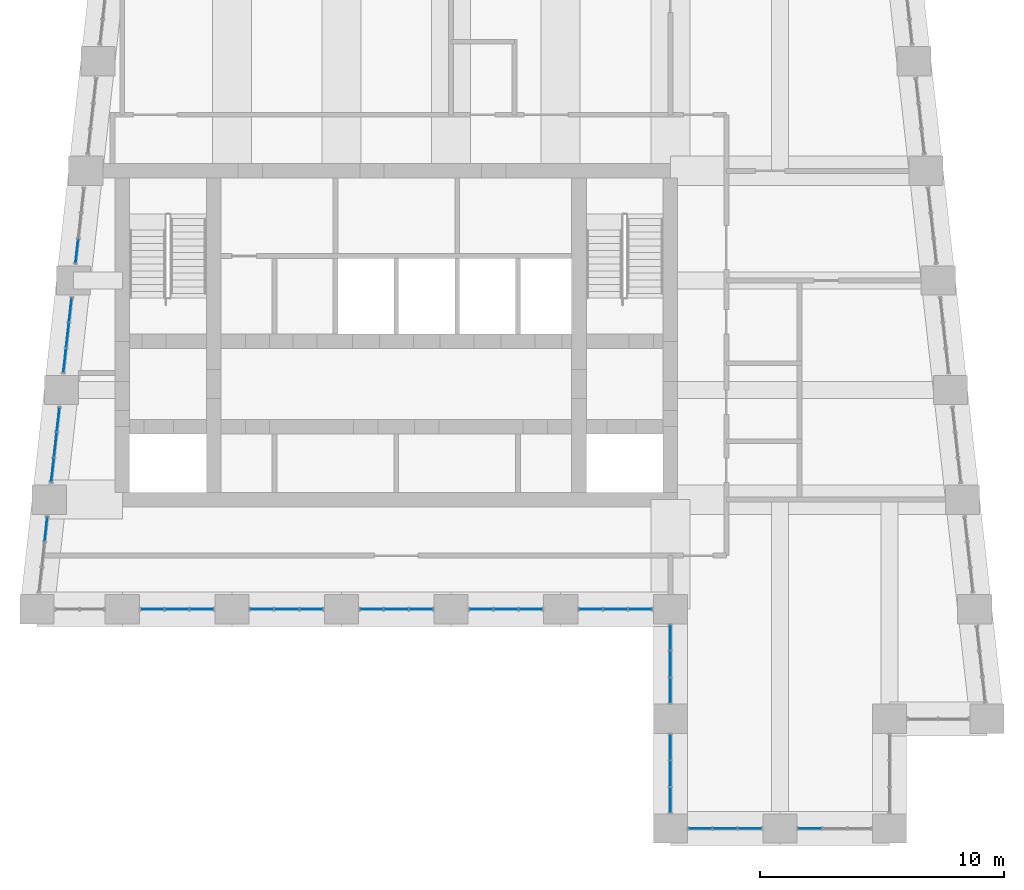
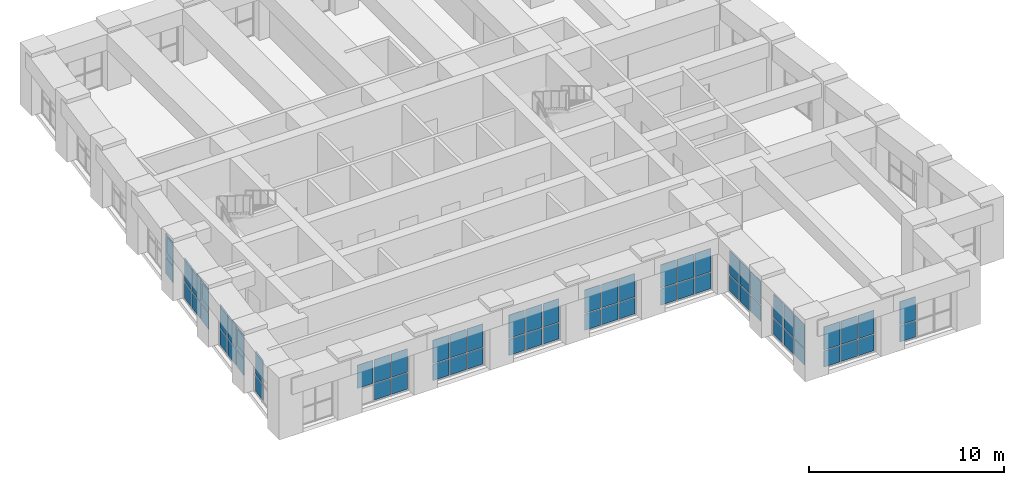
# One storey, part 12 of 18: 65 plates, 13 elements without a shape of their own.
"""IFC4 building model written with IfcOpenShell, lengths in metres."""

import ifcopenshell
import ifcopenshell.guid

model = None  # the IFC model being written
_history = None  # IfcOwnerHistory: only IFC2X3 demands one
_inside = {}  # id of a spatial element -> (the spatial element, [elements in it])
_under = {}  # id of a project, library or spatial element -> (it, [spatial elements below it])
_declared = {}  # id of a project -> (the project, [libraries it declares])
_typed = {}  # id of a type object -> (the type object, [elements of that type])
_made_of = {}  # id of a material, layer set ... -> (it, [elements and type objects made of it])


def new_model(schema):
    """Start an empty IFC model of exactly this schema.

    Asked for "IFC4X3", IfcOpenShell would pick the latest addendum, in which some entities
    have other attributes; the version numbers below select the first issue.
    IFC2X3 requires an IfcOwnerHistory on every rooted entity: one is made here for all.
    """
    global model, _history
    if schema == "IFC4X3":
        model = ifcopenshell.file(schema_version=(4, 3, 0, 0))
    else:
        model = ifcopenshell.file(schema=schema)
    _inside.clear()
    _under.clear()
    _declared.clear()
    _typed.clear()
    _made_of.clear()
    _history = None
    if model.schema == "IFC2X3":
        org = make("IfcOrganization", Name="unknown")
        user = make(
            "IfcPersonAndOrganization",
            ThePerson=make("IfcPerson", FamilyName="unknown"),
            TheOrganization=org,
        )
        app = make(
            "IfcApplication",
            ApplicationDeveloper=org,
            Version="unknown",
            ApplicationFullName="unknown",
            ApplicationIdentifier="unknown",
        )
        _history = make(
            "IfcOwnerHistory",
            OwningUser=user,
            OwningApplication=app,
            ChangeAction="ADDED",
            CreationDate=0,
        )
    return model


def make(cls, **values):
    """One entity of the class cls with the attributes given. An attribute that is None is left unset."""
    return model.create_entity(
        cls, **{name: value for name, value in values.items() if value is not None}
    )


def rooted(cls, **values):
    """An entity with a GlobalId (a new one), such as an element, a storey or a relation."""
    return make(cls, GlobalId=ifcopenshell.guid.new(), OwnerHistory=_history, **values)


def si_unit(unit_type, name, prefix=None):
    """IfcSIUnit, for example si_unit("LENGTHUNIT", "METRE", prefix="MILLI")."""
    return make("IfcSIUnit", UnitType=unit_type, Prefix=prefix, Name=name)


def assignment(units):
    """IfcUnitAssignment: the units of a project."""
    return None if units is None else make("IfcUnitAssignment", Units=units)


def point(xyz):
    """IfcCartesianPoint."""
    return None if xyz is None else make("IfcCartesianPoint", Coordinates=xyz)


def direction(xyz):
    """IfcDirection."""
    return None if xyz is None else make("IfcDirection", DirectionRatios=xyz)


def frame(location, z_axis=None, x_axis=None):
    """IfcAxis2Placement3D, a coordinate frame: its origin and axes. An axis left out is left unset."""
    return make(
        "IfcAxis2Placement3D",
        Location=point(location),
        Axis=direction(z_axis),
        RefDirection=direction(x_axis),
    )


def frame_2d(location, x_axis=None):
    """IfcAxis2Placement2D, a coordinate frame in the plane: its origin and x axis."""
    return make(
        "IfcAxis2Placement2D", Location=point(location), RefDirection=direction(x_axis)
    )


def origin():
    """The frame at (0, 0, 0) with its axes left unset."""
    return frame((0.0, 0.0, 0.0))


def origin_2d():
    """The frame at (0, 0) in the plane with its x axis left unset."""
    return frame_2d((0.0, 0.0))


def place(relative_to, where):
    """IfcLocalPlacement: puts the frame where relative to a parent placement (None: the world)."""
    return make(
        "IfcLocalPlacement", PlacementRelTo=relative_to, RelativePlacement=where
    )


def context(
    kind, dimensions, precision=None, world=None, true_north=None, identifier=None
):
    """IfcGeometricRepresentationContext, for example the 3D "Model" context."""
    return make(
        "IfcGeometricRepresentationContext",
        ContextIdentifier=identifier,
        ContextType=kind,
        CoordinateSpaceDimension=dimensions,
        Precision=precision,
        WorldCoordinateSystem=world,
        TrueNorth=true_north,
    )


def subcontext(parent, identifier, kind, view, scale=None):
    """IfcGeometricRepresentationSubContext, for example "Body" below "Model"."""
    return make(
        "IfcGeometricRepresentationSubContext",
        ContextIdentifier=identifier,
        ContextType=kind,
        ParentContext=parent,
        TargetScale=scale,
        TargetView=view,
    )


def project(units=None, contexts=None):
    """IfcProject with its units and contexts."""
    return rooted(
        "IfcProject",
        Name="project",
        RepresentationContexts=contexts,
        UnitsInContext=assignment(units),
    )


def spatial(cls, under=None, at=None, **own):
    """A site, building, storey or space (cls), placed at a placement, below another one or the project."""
    s = rooted(cls, ObjectPlacement=at, **own)
    if under is not None:
        _under.setdefault(under.id(), (under, []))[1].append(s)
    return s


def profile(cls, at=None, kind="AREA", **sizes):
    """A parametric profile (cls). Its sizes go by their IFC names, for example OverallWidth=200.0."""
    return make(cls, ProfileType=kind, Position=at, **sizes)


def rectangle(**sizes):
    """IfcRectangleProfileDef."""
    return profile("IfcRectangleProfileDef", **sizes)


def extrude(swept, where, along, depth):
    """IfcExtrudedAreaSolid: the profile swept, set in the frame where, extruded along a direction by depth."""
    return make(
        "IfcExtrudedAreaSolid",
        SweptArea=swept,
        Position=where,
        ExtrudedDirection=direction(along),
        Depth=depth,
    )


def shape(context_of_items, identifier, shape_type, items):
    """IfcShapeRepresentation: the items that make up one representation, for example the "Body"."""
    return make(
        "IfcShapeRepresentation",
        ContextOfItems=context_of_items,
        RepresentationIdentifier=identifier,
        RepresentationType=shape_type,
        Items=items,
    )


def material(Name=None, Category=None):
    """IfcMaterial."""
    return make("IfcMaterial", Name=Name, Category=Category)


def layer(
    of_material, thickness, ventilated=None, Name=None, Category=None, Priority=None
):
    """IfcMaterialLayer: one layer of a wall or slab, of a material (None: an air gap)."""
    return make(
        "IfcMaterialLayer",
        Material=of_material,
        LayerThickness=thickness,
        IsVentilated=ventilated,
        Name=Name,
        Category=Category,
        Priority=Priority,
    )


def layer_set(layers, Name=None):
    """IfcMaterialLayerSet."""
    return make("IfcMaterialLayerSet", MaterialLayers=layers, LayerSetName=Name)


def made_of(thing, what):
    """Note that an element or type object is made of a material, layer set ...; save() writes the relation."""
    if what is not None:
        _made_of.setdefault(what.id(), (what, []))[1].append(thing)
    return thing


def type_object(cls, material=None, **own):
    """A type object (cls), such as IfcWallType, which elements share."""
    return made_of(rooted(cls, **own), material)


def element(
    cls,
    number,
    at=None,
    inside=None,
    cuts=None,
    type_object=None,
    material=None,
    context=None,
    identifier="Body",
    shape_type=None,
    held_by="IfcProductDefinitionShape",
    body=None,
    shapes=None,
    **own,
):
    """One element of the class cls, such as IfcWall. Its Tag is "e" and its number.

    at: its placement. inside: the storey or other place that contains it. cuts: it is an
    opening in that element (IfcRelVoidsElement). A single representation is given by context,
    identifier, shape_type and body (its items); several are given by shapes. held_by: the class
    of the entity that holds the representations. save() writes the other relations.
    """
    e = rooted(cls, Tag="e%d" % number, ObjectPlacement=at, **own)
    if body is not None:
        shapes = [shape(context, identifier, shape_type, body)]
    if shapes is not None:
        e.Representation = make(held_by, Representations=shapes)
    if inside is not None:
        _inside.setdefault(inside.id(), (inside, []))[1].append(e)
    if cuts is not None:
        rooted(
            "IfcRelVoidsElement", RelatingBuildingElement=cuts, RelatedOpeningElement=e
        )
    if type_object is not None:
        _typed.setdefault(type_object.id(), (type_object, []))[1].append(e)
    return made_of(e, material)


def aggregate(whole, parts):
    """IfcRelAggregates: a whole, such as a stair, and the parts it consists of."""
    return rooted("IfcRelAggregates", RelatingObject=whole, RelatedObjects=parts)


def save(model, path):
    """Write the relations noted so far, then the file.

    IfcRelAggregates (storeys below a building ...), IfcRelContainedInSpatialStructure (elements
    in a storey), IfcRelDefinesByType, IfcRelAssociatesMaterial and IfcRelDeclares: one each for
    every whole, place, type object, material and project.
    """
    for whole, parts in _under.values():
        aggregate(whole, parts)
    for where, things in _inside.values():
        rooted(
            "IfcRelContainedInSpatialStructure",
            RelatedElements=things,
            RelatingStructure=where,
        )
    for kind, things in _typed.values():
        rooted("IfcRelDefinesByType", RelatedObjects=things, RelatingType=kind)
    for what, things in _made_of.values():
        rooted("IfcRelAssociatesMaterial", RelatedObjects=things, RelatingMaterial=what)
    for by, libraries in _declared.values():
        rooted("IfcRelDeclares", RelatingContext=by, RelatedDefinitions=libraries)
    model.write(path)


model = new_model("IFC4")

# Units and contexts
model_context = context("Model", 3, precision=1e-05, world=origin(), true_north=direction((0.0, 1.0)))
body_context = subcontext(model_context, "Body", "Model", "MODEL_VIEW")
ifc_project = project(units=[si_unit("LENGTHUNIT", "METRE"), si_unit("AREAUNIT", "SQUARE_METRE"), si_unit("VOLUMEUNIT", "CUBIC_METRE"), si_unit("PLANEANGLEUNIT", "RADIAN"), si_unit("MASSUNIT", "GRAM", prefix="KILO")], contexts=[model_context])

# Site, building, storey
site_placement = place(None, origin())
site = spatial("IfcSite", under=ifc_project, at=site_placement, CompositionType="ELEMENT")
building_placement = place(site_placement, origin())
building = spatial("IfcBuilding", under=site, at=building_placement, Name="Kilele Tower Hotel", CompositionType="ELEMENT")
storey_placement = place(building_placement, frame((0.0, 0.0, 281.89990234375)))
storey = spatial("IfcBuildingStorey", under=building, at=storey_placement, Name="L72", CompositionType="ELEMENT", Elevation=281.89990234375)

# Curtain wall, plates
ifc_material_1 = material(Name="Aluminium curtain wall, clear double glazing", Category="aluminium")
curtain_wall_type = type_object("IfcCurtainWallType", Name="Sky restaurant curtain wall CW-5", PredefinedType="NOTDEFINED", material=ifc_material_1)
curtain_wall_1_placement = place(storey_placement, origin())
curtain_wall_1 = element("IfcCurtainWall", 1, at=curtain_wall_1_placement, inside=storey, type_object=curtain_wall_type, Name="Sky restaurant curtain wall CW-5 L72", PredefinedType="NOTDEFINED")
ifc_material_2 = material(Name="Clear double glazing", Category="glass")
ifc_layer = layer(ifc_material_2, 0.028076171875)
ifc_layer_set = layer_set([ifc_layer], Name="Clear double glazing")
plate_type = type_object("IfcPlateType", Name="Glazed panel 28 CW-5", PredefinedType="CURTAIN_PANEL", material=ifc_layer_set)
plate_1_placement = place(storey_placement, frame((14.731689453125, 9.0, 1.130126953125), z_axis=(0.0, 0.0, 1.0), x_axis=(1.0, 0.0, 0.0)))
plate_1 = element("IfcPlate", 2, at=plate_1_placement, type_object=plate_type, Name="CW-5 panel 1.2", PredefinedType="CURTAIN_PANEL", context=body_context, shape_type="SweptSolid", body=[
    extrude(rectangle(XDim=0.943359375, YDim=0.028076171875, at=origin_2d()), origin(), (0.0, 0.0, 1.0), 1.4599609375),
])
plate_2_placement = place(storey_placement, frame((15.75, 9.0, 0.06005859375), z_axis=(0.0, 0.0, 1.0), x_axis=(1.0, 0.0, 0.0)))
plate_2 = element("IfcPlate", 3, at=plate_2_placement, type_object=plate_type, Name="CW-5 panel 2.1", PredefinedType="CURTAIN_PANEL", context=body_context, shape_type="SweptSolid", body=[
    extrude(rectangle(XDim=0.973388671875, YDim=0.028076171875, at=origin_2d()), origin(), (0.0, 0.0, 1.0), 1.010009765625),
])
plate_3_placement = place(storey_placement, frame((15.75, 9.0, 1.130126953125), z_axis=(0.0, 0.0, 1.0), x_axis=(1.0, 0.0, 0.0)))
plate_3 = element("IfcPlate", 4, at=plate_3_placement, type_object=plate_type, Name="CW-5 panel 2.2", PredefinedType="CURTAIN_PANEL", context=body_context, shape_type="SweptSolid", body=[
    extrude(rectangle(XDim=0.973388671875, YDim=0.028076171875, at=origin_2d()), origin(), (0.0, 0.0, 1.0), 1.4599609375),
])
plate_4_placement = place(storey_placement, frame((16.768310546875, 9.0, 0.06005859375), z_axis=(0.0, 0.0, 1.0), x_axis=(1.0, 0.0, 0.0)))
plate_4 = element("IfcPlate", 5, at=plate_4_placement, type_object=plate_type, Name="CW-5 panel 3.1", PredefinedType="CURTAIN_PANEL", context=body_context, shape_type="SweptSolid", body=[
    extrude(rectangle(XDim=0.943359375, YDim=0.028076171875, at=origin_2d()), origin(), (0.0, 0.0, 1.0), 1.010009765625),
])
plate_5_placement = place(storey_placement, frame((16.768310546875, 9.0, 1.130126953125), z_axis=(0.0, 0.0, 1.0), x_axis=(1.0, 0.0, 0.0)))
plate_5 = element("IfcPlate", 6, at=plate_5_placement, type_object=plate_type, Name="CW-5 panel 3.2", PredefinedType="CURTAIN_PANEL", context=body_context, shape_type="SweptSolid", body=[
    extrude(rectangle(XDim=0.943359375, YDim=0.028076171875, at=origin_2d()), origin(), (0.0, 0.0, 1.0), 1.4599609375),
])
aggregate(curtain_wall_1, [plate_1, plate_2, plate_3, plate_4, plate_5])

curtain_wall_2_placement = place(storey_placement, origin())
curtain_wall_2 = element("IfcCurtainWall", 7, at=curtain_wall_2_placement, inside=storey, type_object=curtain_wall_type, Name="Sky restaurant curtain wall CW-5 L72", PredefinedType="NOTDEFINED")
plate_6_placement = place(storey_placement, frame((19.231689453125, 9.0, 0.06005859375), z_axis=(0.0, 0.0, 1.0), x_axis=(1.0, 0.0, 0.0)))
plate_6 = element("IfcPlate", 8, at=plate_6_placement, type_object=plate_type, Name="CW-5 panel 1.1", PredefinedType="CURTAIN_PANEL", context=body_context, shape_type="SweptSolid", body=[
    extrude(rectangle(XDim=0.943359375, YDim=0.028076171875, at=origin_2d()), origin(), (0.0, 0.0, 1.0), 1.010009765625),
])
plate_7_placement = place(storey_placement, frame((19.231689453125, 9.0, 1.130126953125), z_axis=(0.0, 0.0, 1.0), x_axis=(1.0, 0.0, 0.0)))
plate_7 = element("IfcPlate", 9, at=plate_7_placement, type_object=plate_type, Name="CW-5 panel 1.2", PredefinedType="CURTAIN_PANEL", context=body_context, shape_type="SweptSolid", body=[
    extrude(rectangle(XDim=0.943359375, YDim=0.028076171875, at=origin_2d()), origin(), (0.0, 0.0, 1.0), 1.4599609375),
])
plate_8_placement = place(storey_placement, frame((20.25, 9.0, 0.06005859375), z_axis=(0.0, 0.0, 1.0), x_axis=(1.0, 0.0, 0.0)))
plate_8 = element("IfcPlate", 10, at=plate_8_placement, type_object=plate_type, Name="CW-5 panel 2.1", PredefinedType="CURTAIN_PANEL", context=body_context, shape_type="SweptSolid", body=[
    extrude(rectangle(XDim=0.973388671875, YDim=0.028076171875, at=origin_2d()), origin(), (0.0, 0.0, 1.0), 1.010009765625),
])
plate_9_placement = place(storey_placement, frame((20.25, 9.0, 1.130126953125), z_axis=(0.0, 0.0, 1.0), x_axis=(1.0, 0.0, 0.0)))
plate_9 = element("IfcPlate", 11, at=plate_9_placement, type_object=plate_type, Name="CW-5 panel 2.2", PredefinedType="CURTAIN_PANEL", context=body_context, shape_type="SweptSolid", body=[
    extrude(rectangle(XDim=0.973388671875, YDim=0.028076171875, at=origin_2d()), origin(), (0.0, 0.0, 1.0), 1.4599609375),
])
plate_10_placement = place(storey_placement, frame((21.268310546875, 9.0, 0.06005859375), z_axis=(0.0, 0.0, 1.0), x_axis=(1.0, 0.0, 0.0)))
plate_10 = element("IfcPlate", 12, at=plate_10_placement, type_object=plate_type, Name="CW-5 panel 3.1", PredefinedType="CURTAIN_PANEL", context=body_context, shape_type="SweptSolid", body=[
    extrude(rectangle(XDim=0.943359375, YDim=0.028076171875, at=origin_2d()), origin(), (0.0, 0.0, 1.0), 1.010009765625),
])
plate_11_placement = place(storey_placement, frame((21.268310546875, 9.0, 1.130126953125), z_axis=(0.0, 0.0, 1.0), x_axis=(1.0, 0.0, 0.0)))
plate_11 = element("IfcPlate", 13, at=plate_11_placement, type_object=plate_type, Name="CW-5 panel 3.2", PredefinedType="CURTAIN_PANEL", context=body_context, shape_type="SweptSolid", body=[
    extrude(rectangle(XDim=0.943359375, YDim=0.028076171875, at=origin_2d()), origin(), (0.0, 0.0, 1.0), 1.4599609375),
])
aggregate(curtain_wall_2, [plate_6, plate_7, plate_8, plate_9, plate_10, plate_11])

curtain_wall_3_placement = place(storey_placement, origin())
curtain_wall_3 = element("IfcCurtainWall", 14, at=curtain_wall_3_placement, inside=storey, type_object=curtain_wall_type, Name="Sky restaurant curtain wall CW-5 L72", PredefinedType="NOTDEFINED")
plate_12_placement = place(storey_placement, frame((23.731689453125, 9.0, 0.06005859375), z_axis=(0.0, 0.0, 1.0), x_axis=(1.0, 0.0, 0.0)))
plate_12 = element("IfcPlate", 15, at=plate_12_placement, type_object=plate_type, Name="CW-5 panel 1.1", PredefinedType="CURTAIN_PANEL", context=body_context, shape_type="SweptSolid", body=[
    extrude(rectangle(XDim=0.943359375, YDim=0.028076171875, at=origin_2d()), origin(), (0.0, 0.0, 1.0), 1.010009765625),
])
plate_13_placement = place(storey_placement, frame((23.731689453125, 9.0, 1.130126953125), z_axis=(0.0, 0.0, 1.0), x_axis=(1.0, 0.0, 0.0)))
plate_13 = element("IfcPlate", 16, at=plate_13_placement, type_object=plate_type, Name="CW-5 panel 1.2", PredefinedType="CURTAIN_PANEL", context=body_context, shape_type="SweptSolid", body=[
    extrude(rectangle(XDim=0.943359375, YDim=0.028076171875, at=origin_2d()), origin(), (0.0, 0.0, 1.0), 1.4599609375),
])
plate_14_placement = place(storey_placement, frame((24.75, 9.0, 0.06005859375), z_axis=(0.0, 0.0, 1.0), x_axis=(1.0, 0.0, 0.0)))
plate_14 = element("IfcPlate", 17, at=plate_14_placement, type_object=plate_type, Name="CW-5 panel 2.1", PredefinedType="CURTAIN_PANEL", context=body_context, shape_type="SweptSolid", body=[
    extrude(rectangle(XDim=0.973388671875, YDim=0.028076171875, at=origin_2d()), origin(), (0.0, 0.0, 1.0), 1.010009765625),
])
plate_15_placement = place(storey_placement, frame((24.75, 9.0, 1.130126953125), z_axis=(0.0, 0.0, 1.0), x_axis=(1.0, 0.0, 0.0)))
plate_15 = element("IfcPlate", 18, at=plate_15_placement, type_object=plate_type, Name="CW-5 panel 2.2", PredefinedType="CURTAIN_PANEL", context=body_context, shape_type="SweptSolid", body=[
    extrude(rectangle(XDim=0.973388671875, YDim=0.028076171875, at=origin_2d()), origin(), (0.0, 0.0, 1.0), 1.4599609375),
])
plate_16_placement = place(storey_placement, frame((25.768310546875, 9.0, 0.06005859375), z_axis=(0.0, 0.0, 1.0), x_axis=(1.0, 0.0, 0.0)))
plate_16 = element("IfcPlate", 19, at=plate_16_placement, type_object=plate_type, Name="CW-5 panel 3.1", PredefinedType="CURTAIN_PANEL", context=body_context, shape_type="SweptSolid", body=[
    extrude(rectangle(XDim=0.943359375, YDim=0.028076171875, at=origin_2d()), origin(), (0.0, 0.0, 1.0), 1.010009765625),
])
plate_17_placement = place(storey_placement, frame((25.768310546875, 9.0, 1.130126953125), z_axis=(0.0, 0.0, 1.0), x_axis=(1.0, 0.0, 0.0)))
plate_17 = element("IfcPlate", 20, at=plate_17_placement, type_object=plate_type, Name="CW-5 panel 3.2", PredefinedType="CURTAIN_PANEL", context=body_context, shape_type="SweptSolid", body=[
    extrude(rectangle(XDim=0.943359375, YDim=0.028076171875, at=origin_2d()), origin(), (0.0, 0.0, 1.0), 1.4599609375),
])
aggregate(curtain_wall_3, [plate_12, plate_13, plate_14, plate_15, plate_16, plate_17])

curtain_wall_4_placement = place(storey_placement, origin())
curtain_wall_4 = element("IfcCurtainWall", 21, at=curtain_wall_4_placement, inside=storey, type_object=curtain_wall_type, Name="Sky restaurant curtain wall CW-5 L72", PredefinedType="NOTDEFINED")
plate_18_placement = place(storey_placement, frame((28.231689453125, 9.0, 0.06005859375), z_axis=(0.0, 0.0, 1.0), x_axis=(1.0, 0.0, 0.0)))
plate_18 = element("IfcPlate", 22, at=plate_18_placement, type_object=plate_type, Name="CW-5 panel 1.1", PredefinedType="CURTAIN_PANEL", context=body_context, shape_type="SweptSolid", body=[
    extrude(rectangle(XDim=0.943359375, YDim=0.028076171875, at=origin_2d()), origin(), (0.0, 0.0, 1.0), 1.010009765625),
])
plate_19_placement = place(storey_placement, frame((28.231689453125, 9.0, 1.130126953125), z_axis=(0.0, 0.0, 1.0), x_axis=(1.0, 0.0, 0.0)))
plate_19 = element("IfcPlate", 23, at=plate_19_placement, type_object=plate_type, Name="CW-5 panel 1.2", PredefinedType="CURTAIN_PANEL", context=body_context, shape_type="SweptSolid", body=[
    extrude(rectangle(XDim=0.943359375, YDim=0.028076171875, at=origin_2d()), origin(), (0.0, 0.0, 1.0), 1.4599609375),
])
plate_20_placement = place(storey_placement, frame((29.25, 9.0, 0.06005859375), z_axis=(0.0, 0.0, 1.0), x_axis=(1.0, 0.0, 0.0)))
plate_20 = element("IfcPlate", 24, at=plate_20_placement, type_object=plate_type, Name="CW-5 panel 2.1", PredefinedType="CURTAIN_PANEL", context=body_context, shape_type="SweptSolid", body=[
    extrude(rectangle(XDim=0.973388671875, YDim=0.028076171875, at=origin_2d()), origin(), (0.0, 0.0, 1.0), 1.010009765625),
])
plate_21_placement = place(storey_placement, frame((29.25, 9.0, 1.130126953125), z_axis=(0.0, 0.0, 1.0), x_axis=(1.0, 0.0, 0.0)))
plate_21 = element("IfcPlate", 25, at=plate_21_placement, type_object=plate_type, Name="CW-5 panel 2.2", PredefinedType="CURTAIN_PANEL", context=body_context, shape_type="SweptSolid", body=[
    extrude(rectangle(XDim=0.973388671875, YDim=0.028076171875, at=origin_2d()), origin(), (0.0, 0.0, 1.0), 1.4599609375),
])
plate_22_placement = place(storey_placement, frame((30.268310546875, 9.0, 0.06005859375), z_axis=(0.0, 0.0, 1.0), x_axis=(1.0, 0.0, 0.0)))
plate_22 = element("IfcPlate", 26, at=plate_22_placement, type_object=plate_type, Name="CW-5 panel 3.1", PredefinedType="CURTAIN_PANEL", context=body_context, shape_type="SweptSolid", body=[
    extrude(rectangle(XDim=0.943359375, YDim=0.028076171875, at=origin_2d()), origin(), (0.0, 0.0, 1.0), 1.010009765625),
])
plate_23_placement = place(storey_placement, frame((30.268310546875, 9.0, 1.130126953125), z_axis=(0.0, 0.0, 1.0), x_axis=(1.0, 0.0, 0.0)))
plate_23 = element("IfcPlate", 27, at=plate_23_placement, type_object=plate_type, Name="CW-5 panel 3.2", PredefinedType="CURTAIN_PANEL", context=body_context, shape_type="SweptSolid", body=[
    extrude(rectangle(XDim=0.943359375, YDim=0.028076171875, at=origin_2d()), origin(), (0.0, 0.0, 1.0), 1.4599609375),
])
aggregate(curtain_wall_4, [plate_18, plate_19, plate_20, plate_21, plate_22, plate_23])

curtain_wall_5_placement = place(storey_placement, origin())
curtain_wall_5 = element("IfcCurtainWall", 28, at=curtain_wall_5_placement, inside=storey, type_object=curtain_wall_type, Name="Sky restaurant curtain wall CW-5 L72", PredefinedType="NOTDEFINED")
plate_24_placement = place(storey_placement, frame((32.731689453125, 9.0, 0.06005859375), z_axis=(0.0, 0.0, 1.0), x_axis=(1.0, 0.0, 0.0)))
plate_24 = element("IfcPlate", 29, at=plate_24_placement, type_object=plate_type, Name="CW-5 panel 1.1", PredefinedType="CURTAIN_PANEL", context=body_context, shape_type="SweptSolid", body=[
    extrude(rectangle(XDim=0.943359375, YDim=0.028076171875, at=origin_2d()), origin(), (0.0, 0.0, 1.0), 1.010009765625),
])
plate_25_placement = place(storey_placement, frame((32.731689453125, 9.0, 1.130126953125), z_axis=(0.0, 0.0, 1.0), x_axis=(1.0, 0.0, 0.0)))
plate_25 = element("IfcPlate", 30, at=plate_25_placement, type_object=plate_type, Name="CW-5 panel 1.2", PredefinedType="CURTAIN_PANEL", context=body_context, shape_type="SweptSolid", body=[
    extrude(rectangle(XDim=0.943359375, YDim=0.028076171875, at=origin_2d()), origin(), (0.0, 0.0, 1.0), 1.4599609375),
])
plate_26_placement = place(storey_placement, frame((33.75, 9.0, 0.06005859375), z_axis=(0.0, 0.0, 1.0), x_axis=(1.0, 0.0, 0.0)))
plate_26 = element("IfcPlate", 31, at=plate_26_placement, type_object=plate_type, Name="CW-5 panel 2.1", PredefinedType="CURTAIN_PANEL", context=body_context, shape_type="SweptSolid", body=[
    extrude(rectangle(XDim=0.973388671875, YDim=0.028076171875, at=origin_2d()), origin(), (0.0, 0.0, 1.0), 1.010009765625),
])
plate_27_placement = place(storey_placement, frame((33.75, 9.0, 1.130126953125), z_axis=(0.0, 0.0, 1.0), x_axis=(1.0, 0.0, 0.0)))
plate_27 = element("IfcPlate", 32, at=plate_27_placement, type_object=plate_type, Name="CW-5 panel 2.2", PredefinedType="CURTAIN_PANEL", context=body_context, shape_type="SweptSolid", body=[
    extrude(rectangle(XDim=0.973388671875, YDim=0.028076171875, at=origin_2d()), origin(), (0.0, 0.0, 1.0), 1.4599609375),
])
plate_28_placement = place(storey_placement, frame((34.768310546875, 9.0, 0.06005859375), z_axis=(0.0, 0.0, 1.0), x_axis=(1.0, 0.0, 0.0)))
plate_28 = element("IfcPlate", 33, at=plate_28_placement, type_object=plate_type, Name="CW-5 panel 3.1", PredefinedType="CURTAIN_PANEL", context=body_context, shape_type="SweptSolid", body=[
    extrude(rectangle(XDim=0.943359375, YDim=0.028076171875, at=origin_2d()), origin(), (0.0, 0.0, 1.0), 1.010009765625),
])
plate_29_placement = place(storey_placement, frame((34.768310546875, 9.0, 1.130126953125), z_axis=(0.0, 0.0, 1.0), x_axis=(1.0, 0.0, 0.0)))
plate_29 = element("IfcPlate", 34, at=plate_29_placement, type_object=plate_type, Name="CW-5 panel 3.2", PredefinedType="CURTAIN_PANEL", context=body_context, shape_type="SweptSolid", body=[
    extrude(rectangle(XDim=0.943359375, YDim=0.028076171875, at=origin_2d()), origin(), (0.0, 0.0, 1.0), 1.4599609375),
])
aggregate(curtain_wall_5, [plate_24, plate_25, plate_26, plate_27, plate_28, plate_29])

curtain_wall_6_placement = place(storey_placement, origin())
curtain_wall_6 = element("IfcCurtainWall", 35, at=curtain_wall_6_placement, inside=storey, type_object=curtain_wall_type, Name="Sky restaurant curtain wall CW-5 L72", PredefinedType="NOTDEFINED")
plate_30_placement = place(storey_placement, frame((36.0, 7.8349609375, 0.06005859375), z_axis=(0.0, 0.0, 1.0), x_axis=(0.0, -1.0, 0.0)))
plate_30 = element("IfcPlate", 36, at=plate_30_placement, type_object=plate_type, Name="CW-5 panel 1.1", PredefinedType="CURTAIN_PANEL", context=body_context, shape_type="SweptSolid", body=[
    extrude(rectangle(XDim=1.010009765625, YDim=0.028076171875, at=origin_2d()), origin(), (0.0, 0.0, 1.0), 1.010009765625),
])
plate_31_placement = place(storey_placement, frame((36.0, 7.8349609375, 1.130126953125), z_axis=(0.0, 0.0, 1.0), x_axis=(0.0, -1.0, 0.0)))
plate_31 = element("IfcPlate", 37, at=plate_31_placement, type_object=plate_type, Name="CW-5 panel 1.2", PredefinedType="CURTAIN_PANEL", context=body_context, shape_type="SweptSolid", body=[
    extrude(rectangle(XDim=1.010009765625, YDim=0.028076171875, at=origin_2d()), origin(), (0.0, 0.0, 1.0), 1.4599609375),
])
plate_32_placement = place(storey_placement, frame((36.0, 6.75, 0.06005859375), z_axis=(0.0, 0.0, 1.0), x_axis=(0.0, -1.0, 0.0)))
plate_32 = element("IfcPlate", 38, at=plate_32_placement, type_object=plate_type, Name="CW-5 panel 2.1", PredefinedType="CURTAIN_PANEL", context=body_context, shape_type="SweptSolid", body=[
    extrude(rectangle(XDim=1.0400390625, YDim=0.028076171875, at=origin_2d()), origin(), (0.0, 0.0, 1.0), 1.010009765625),
])
plate_33_placement = place(storey_placement, frame((36.0, 6.75, 1.130126953125), z_axis=(0.0, 0.0, 1.0), x_axis=(0.0, -1.0, 0.0)))
plate_33 = element("IfcPlate", 39, at=plate_33_placement, type_object=plate_type, Name="CW-5 panel 2.2", PredefinedType="CURTAIN_PANEL", context=body_context, shape_type="SweptSolid", body=[
    extrude(rectangle(XDim=1.0400390625, YDim=0.028076171875, at=origin_2d()), origin(), (0.0, 0.0, 1.0), 1.4599609375),
])
plate_34_placement = place(storey_placement, frame((36.0, 5.6650390625, 0.06005859375), z_axis=(0.0, 0.0, 1.0), x_axis=(0.0, -1.0, 0.0)))
plate_34 = element("IfcPlate", 40, at=plate_34_placement, type_object=plate_type, Name="CW-5 panel 3.1", PredefinedType="CURTAIN_PANEL", context=body_context, shape_type="SweptSolid", body=[
    extrude(rectangle(XDim=1.010009765625, YDim=0.028076171875, at=origin_2d()), origin(), (0.0, 0.0, 1.0), 1.010009765625),
])
plate_35_placement = place(storey_placement, frame((36.0, 5.6650390625, 1.130126953125), z_axis=(0.0, 0.0, 1.0), x_axis=(0.0, -1.0, 0.0)))
plate_35 = element("IfcPlate", 41, at=plate_35_placement, type_object=plate_type, Name="CW-5 panel 3.2", PredefinedType="CURTAIN_PANEL", context=body_context, shape_type="SweptSolid", body=[
    extrude(rectangle(XDim=1.010009765625, YDim=0.028076171875, at=origin_2d()), origin(), (0.0, 0.0, 1.0), 1.4599609375),
])
aggregate(curtain_wall_6, [plate_30, plate_31, plate_32, plate_33, plate_34, plate_35])

curtain_wall_7_placement = place(storey_placement, origin())
curtain_wall_7 = element("IfcCurtainWall", 42, at=curtain_wall_7_placement, inside=storey, type_object=curtain_wall_type, Name="Sky restaurant curtain wall CW-5 L72", PredefinedType="NOTDEFINED")
plate_36_placement = place(storey_placement, frame((36.0, 3.3349609375, 0.06005859375), z_axis=(0.0, 0.0, 1.0), x_axis=(0.0, -1.0, 0.0)))
plate_36 = element("IfcPlate", 43, at=plate_36_placement, type_object=plate_type, Name="CW-5 panel 1.1", PredefinedType="CURTAIN_PANEL", context=body_context, shape_type="SweptSolid", body=[
    extrude(rectangle(XDim=1.010009765625, YDim=0.028076171875, at=origin_2d()), origin(), (0.0, 0.0, 1.0), 1.010009765625),
])
plate_37_placement = place(storey_placement, frame((36.0, 3.3349609375, 1.130126953125), z_axis=(0.0, 0.0, 1.0), x_axis=(0.0, -1.0, 0.0)))
plate_37 = element("IfcPlate", 44, at=plate_37_placement, type_object=plate_type, Name="CW-5 panel 1.2", PredefinedType="CURTAIN_PANEL", context=body_context, shape_type="SweptSolid", body=[
    extrude(rectangle(XDim=1.010009765625, YDim=0.028076171875, at=origin_2d()), origin(), (0.0, 0.0, 1.0), 1.4599609375),
])
plate_38_placement = place(storey_placement, frame((36.0, 2.25, 0.06005859375), z_axis=(0.0, 0.0, 1.0), x_axis=(0.0, -1.0, 0.0)))
plate_38 = element("IfcPlate", 45, at=plate_38_placement, type_object=plate_type, Name="CW-5 panel 2.1", PredefinedType="CURTAIN_PANEL", context=body_context, shape_type="SweptSolid", body=[
    extrude(rectangle(XDim=1.0400390625, YDim=0.028076171875, at=origin_2d()), origin(), (0.0, 0.0, 1.0), 1.010009765625),
])
plate_39_placement = place(storey_placement, frame((36.0, 2.25, 1.130126953125), z_axis=(0.0, 0.0, 1.0), x_axis=(0.0, -1.0, 0.0)))
plate_39 = element("IfcPlate", 46, at=plate_39_placement, type_object=plate_type, Name="CW-5 panel 2.2", PredefinedType="CURTAIN_PANEL", context=body_context, shape_type="SweptSolid", body=[
    extrude(rectangle(XDim=1.0400390625, YDim=0.028076171875, at=origin_2d()), origin(), (0.0, 0.0, 1.0), 1.4599609375),
])
plate_40_placement = place(storey_placement, frame((36.0, 1.1650390625, 0.06005859375), z_axis=(0.0, 0.0, 1.0), x_axis=(0.0, -1.0, 0.0)))
plate_40 = element("IfcPlate", 47, at=plate_40_placement, type_object=plate_type, Name="CW-5 panel 3.1", PredefinedType="CURTAIN_PANEL", context=body_context, shape_type="SweptSolid", body=[
    extrude(rectangle(XDim=1.010009765625, YDim=0.028076171875, at=origin_2d()), origin(), (0.0, 0.0, 1.0), 1.010009765625),
])
plate_41_placement = place(storey_placement, frame((36.0, 1.1650390625, 1.130126953125), z_axis=(0.0, 0.0, 1.0), x_axis=(0.0, -1.0, 0.0)))
plate_41 = element("IfcPlate", 48, at=plate_41_placement, type_object=plate_type, Name="CW-5 panel 3.2", PredefinedType="CURTAIN_PANEL", context=body_context, shape_type="SweptSolid", body=[
    extrude(rectangle(XDim=1.010009765625, YDim=0.028076171875, at=origin_2d()), origin(), (0.0, 0.0, 1.0), 1.4599609375),
])
aggregate(curtain_wall_7, [plate_36, plate_37, plate_38, plate_39, plate_40, plate_41])

curtain_wall_8_placement = place(storey_placement, origin())
curtain_wall_8 = element("IfcCurtainWall", 49, at=curtain_wall_8_placement, inside=storey, type_object=curtain_wall_type, Name="Sky restaurant curtain wall CW-5 L72", PredefinedType="NOTDEFINED")
plate_42_placement = place(storey_placement, frame((37.231689453125, 0.0, 0.06005859375), z_axis=(0.0, 0.0, 1.0), x_axis=(1.0, 0.0, 0.0)))
plate_42 = element("IfcPlate", 50, at=plate_42_placement, type_object=plate_type, Name="CW-5 panel 1.1", PredefinedType="CURTAIN_PANEL", context=body_context, shape_type="SweptSolid", body=[
    extrude(rectangle(XDim=0.943359375, YDim=0.028076171875, at=origin_2d()), origin(), (0.0, 0.0, 1.0), 1.010009765625),
])
plate_43_placement = place(storey_placement, frame((37.231689453125, 0.0, 1.130126953125), z_axis=(0.0, 0.0, 1.0), x_axis=(1.0, 0.0, 0.0)))
plate_43 = element("IfcPlate", 51, at=plate_43_placement, type_object=plate_type, Name="CW-5 panel 1.2", PredefinedType="CURTAIN_PANEL", context=body_context, shape_type="SweptSolid", body=[
    extrude(rectangle(XDim=0.943359375, YDim=0.028076171875, at=origin_2d()), origin(), (0.0, 0.0, 1.0), 1.4599609375),
])
plate_44_placement = place(storey_placement, frame((38.25, 0.0, 0.06005859375), z_axis=(0.0, 0.0, 1.0), x_axis=(1.0, 0.0, 0.0)))
plate_44 = element("IfcPlate", 52, at=plate_44_placement, type_object=plate_type, Name="CW-5 panel 2.1", PredefinedType="CURTAIN_PANEL", context=body_context, shape_type="SweptSolid", body=[
    extrude(rectangle(XDim=0.973388671875, YDim=0.028076171875, at=origin_2d()), origin(), (0.0, 0.0, 1.0), 1.010009765625),
])
plate_45_placement = place(storey_placement, frame((38.25, 0.0, 1.130126953125), z_axis=(0.0, 0.0, 1.0), x_axis=(1.0, 0.0, 0.0)))
plate_45 = element("IfcPlate", 53, at=plate_45_placement, type_object=plate_type, Name="CW-5 panel 2.2", PredefinedType="CURTAIN_PANEL", context=body_context, shape_type="SweptSolid", body=[
    extrude(rectangle(XDim=0.973388671875, YDim=0.028076171875, at=origin_2d()), origin(), (0.0, 0.0, 1.0), 1.4599609375),
])
plate_46_placement = place(storey_placement, frame((39.268310546875, 0.0, 0.06005859375), z_axis=(0.0, 0.0, 1.0), x_axis=(1.0, 0.0, 0.0)))
plate_46 = element("IfcPlate", 54, at=plate_46_placement, type_object=plate_type, Name="CW-5 panel 3.1", PredefinedType="CURTAIN_PANEL", context=body_context, shape_type="SweptSolid", body=[
    extrude(rectangle(XDim=0.943359375, YDim=0.028076171875, at=origin_2d()), origin(), (0.0, 0.0, 1.0), 1.010009765625),
])
plate_47_placement = place(storey_placement, frame((39.268310546875, 0.0, 1.130126953125), z_axis=(0.0, 0.0, 1.0), x_axis=(1.0, 0.0, 0.0)))
plate_47 = element("IfcPlate", 55, at=plate_47_placement, type_object=plate_type, Name="CW-5 panel 3.2", PredefinedType="CURTAIN_PANEL", context=body_context, shape_type="SweptSolid", body=[
    extrude(rectangle(XDim=0.943359375, YDim=0.028076171875, at=origin_2d()), origin(), (0.0, 0.0, 1.0), 1.4599609375),
])
aggregate(curtain_wall_8, [plate_42, plate_43, plate_44, plate_45, plate_46, plate_47])

curtain_wall_9_placement = place(storey_placement, origin())
curtain_wall_9 = element("IfcCurtainWall", 56, at=curtain_wall_9_placement, inside=storey, type_object=curtain_wall_type, Name="Sky restaurant curtain wall CW-5 L72", PredefinedType="NOTDEFINED")
plate_48_placement = place(storey_placement, frame((41.731689453125, 0.0, 0.06005859375), z_axis=(0.0, 0.0, 1.0), x_axis=(1.0, 0.0, 0.0)))
plate_48 = element("IfcPlate", 57, at=plate_48_placement, type_object=plate_type, Name="CW-5 panel 1.1", PredefinedType="CURTAIN_PANEL", context=body_context, shape_type="SweptSolid", body=[
    extrude(rectangle(XDim=0.943359375, YDim=0.028076171875, at=origin_2d()), origin(), (0.0, 0.0, 1.0), 1.010009765625),
])
plate_49_placement = place(storey_placement, frame((41.731689453125, 0.0, 1.130126953125), z_axis=(0.0, 0.0, 1.0), x_axis=(1.0, 0.0, 0.0)))
plate_49 = element("IfcPlate", 58, at=plate_49_placement, type_object=plate_type, Name="CW-5 panel 1.2", PredefinedType="CURTAIN_PANEL", context=body_context, shape_type="SweptSolid", body=[
    extrude(rectangle(XDim=0.943359375, YDim=0.028076171875, at=origin_2d()), origin(), (0.0, 0.0, 1.0), 1.4599609375),
])
aggregate(curtain_wall_9, [plate_48, plate_49])

curtain_wall_10_placement = place(storey_placement, origin())
curtain_wall_10 = element("IfcCurtainWall", 59, at=curtain_wall_10_placement, inside=storey, type_object=curtain_wall_type, Name="Sky restaurant curtain wall CW-5 L72", PredefinedType="NOTDEFINED")
plate_50_placement = place(storey_placement, frame((11.634521484375, 23.711181640625, 0.06005859375), z_axis=(0.0, 0.0, 1.0), x_axis=(-0.110431526007, -0.993883734681, 0.0)))
plate_50 = element("IfcPlate", 60, at=plate_50_placement, type_object=plate_type, Name="CW-5 panel 3.1", PredefinedType="CURTAIN_PANEL", context=body_context, shape_type="SweptSolid", body=[
    extrude(rectangle(XDim=0.97021484375, YDim=0.028076171875, at=origin_2d()), origin(), (0.0, 0.0, 1.0), 1.010009765625),
])
plate_51_placement = place(storey_placement, frame((11.634521484375, 23.711181640625, 1.130126953125), z_axis=(0.0, 0.0, 1.0), x_axis=(-0.110431526007, -0.993883734681, 0.0)))
plate_51 = element("IfcPlate", 61, at=plate_51_placement, type_object=plate_type, Name="CW-5 panel 3.2", PredefinedType="CURTAIN_PANEL", context=body_context, shape_type="SweptSolid", body=[
    extrude(rectangle(XDim=0.97021484375, YDim=0.028076171875, at=origin_2d()), origin(), (0.0, 0.0, 1.0), 1.4599609375),
])
aggregate(curtain_wall_10, [plate_50, plate_51])

curtain_wall_11_placement = place(storey_placement, origin())
curtain_wall_11 = element("IfcCurtainWall", 62, at=curtain_wall_11_placement, inside=storey, type_object=curtain_wall_type, Name="Sky restaurant curtain wall CW-5 L72", PredefinedType="NOTDEFINED")
plate_52_placement = place(storey_placement, frame((11.365478515625, 21.288818359375, 0.06005859375), z_axis=(0.0, 0.0, 1.0), x_axis=(-0.110431526007, -0.993883734681, 0.0)))
plate_52 = element("IfcPlate", 63, at=plate_52_placement, type_object=plate_type, Name="CW-5 panel 1.1", PredefinedType="CURTAIN_PANEL", context=body_context, shape_type="SweptSolid", body=[
    extrude(rectangle(XDim=0.97021484375, YDim=0.028076171875, at=origin_2d()), origin(), (0.0, 0.0, 1.0), 1.010009765625),
])
plate_53_placement = place(storey_placement, frame((11.365478515625, 21.288818359375, 1.130126953125), z_axis=(0.0, 0.0, 1.0), x_axis=(-0.110431526007, -0.993883734681, 0.0)))
plate_53 = element("IfcPlate", 64, at=plate_53_placement, type_object=plate_type, Name="CW-5 panel 1.2", PredefinedType="CURTAIN_PANEL", context=body_context, shape_type="SweptSolid", body=[
    extrude(rectangle(XDim=0.97021484375, YDim=0.028076171875, at=origin_2d()), origin(), (0.0, 0.0, 1.0), 1.4599609375),
])
plate_54_placement = place(storey_placement, frame((11.25, 20.25, 0.06005859375), z_axis=(0.0, 0.0, 1.0), x_axis=(-0.110431526007, -0.993883734681, 0.0)))
plate_54 = element("IfcPlate", 65, at=plate_54_placement, type_object=plate_type, Name="CW-5 panel 2.1", PredefinedType="CURTAIN_PANEL", context=body_context, shape_type="SweptSolid", body=[
    extrude(rectangle(XDim=1.000244140625, YDim=0.028076171875, at=origin_2d()), origin(), (0.0, 0.0, 1.0), 1.010009765625),
])
plate_55_placement = place(storey_placement, frame((11.25, 20.25, 1.130126953125), z_axis=(0.0, 0.0, 1.0), x_axis=(-0.110431526007, -0.993883734681, 0.0)))
plate_55 = element("IfcPlate", 66, at=plate_55_placement, type_object=plate_type, Name="CW-5 panel 2.2", PredefinedType="CURTAIN_PANEL", context=body_context, shape_type="SweptSolid", body=[
    extrude(rectangle(XDim=1.000244140625, YDim=0.028076171875, at=origin_2d()), origin(), (0.0, 0.0, 1.0), 1.4599609375),
])
plate_56_placement = place(storey_placement, frame((11.134521484375, 19.211181640625, 0.06005859375), z_axis=(0.0, 0.0, 1.0), x_axis=(-0.110431526007, -0.993883734681, 0.0)))
plate_56 = element("IfcPlate", 67, at=plate_56_placement, type_object=plate_type, Name="CW-5 panel 3.1", PredefinedType="CURTAIN_PANEL", context=body_context, shape_type="SweptSolid", body=[
    extrude(rectangle(XDim=0.97021484375, YDim=0.028076171875, at=origin_2d()), origin(), (0.0, 0.0, 1.0), 1.010009765625),
])
plate_57_placement = place(storey_placement, frame((11.134521484375, 19.211181640625, 1.130126953125), z_axis=(0.0, 0.0, 1.0), x_axis=(-0.110431526007, -0.993883734681, 0.0)))
plate_57 = element("IfcPlate", 68, at=plate_57_placement, type_object=plate_type, Name="CW-5 panel 3.2", PredefinedType="CURTAIN_PANEL", context=body_context, shape_type="SweptSolid", body=[
    extrude(rectangle(XDim=0.97021484375, YDim=0.028076171875, at=origin_2d()), origin(), (0.0, 0.0, 1.0), 1.4599609375),
])
aggregate(curtain_wall_11, [plate_52, plate_53, plate_54, plate_55, plate_56, plate_57])

curtain_wall_12_placement = place(storey_placement, origin())
curtain_wall_12 = element("IfcCurtainWall", 69, at=curtain_wall_12_placement, inside=storey, type_object=curtain_wall_type, Name="Sky restaurant curtain wall CW-5 L72", PredefinedType="NOTDEFINED")
plate_58_placement = place(storey_placement, frame((10.865478515625, 16.788818359375, 0.06005859375), z_axis=(0.0, 0.0, 1.0), x_axis=(-0.110431526007, -0.993883734681, 0.0)))
plate_58 = element("IfcPlate", 70, at=plate_58_placement, type_object=plate_type, Name="CW-5 panel 1.1", PredefinedType="CURTAIN_PANEL", context=body_context, shape_type="SweptSolid", body=[
    extrude(rectangle(XDim=0.97021484375, YDim=0.028076171875, at=origin_2d()), origin(), (0.0, 0.0, 1.0), 1.010009765625),
])
plate_59_placement = place(storey_placement, frame((10.865478515625, 16.788818359375, 1.130126953125), z_axis=(0.0, 0.0, 1.0), x_axis=(-0.110431526007, -0.993883734681, 0.0)))
plate_59 = element("IfcPlate", 71, at=plate_59_placement, type_object=plate_type, Name="CW-5 panel 1.2", PredefinedType="CURTAIN_PANEL", context=body_context, shape_type="SweptSolid", body=[
    extrude(rectangle(XDim=0.97021484375, YDim=0.028076171875, at=origin_2d()), origin(), (0.0, 0.0, 1.0), 1.4599609375),
])
plate_60_placement = place(storey_placement, frame((10.75, 15.75, 0.06005859375), z_axis=(0.0, 0.0, 1.0), x_axis=(-0.110431526007, -0.993883734681, 0.0)))
plate_60 = element("IfcPlate", 72, at=plate_60_placement, type_object=plate_type, Name="CW-5 panel 2.1", PredefinedType="CURTAIN_PANEL", context=body_context, shape_type="SweptSolid", body=[
    extrude(rectangle(XDim=1.000244140625, YDim=0.028076171875, at=origin_2d()), origin(), (0.0, 0.0, 1.0), 1.010009765625),
])
plate_61_placement = place(storey_placement, frame((10.75, 15.75, 1.130126953125), z_axis=(0.0, 0.0, 1.0), x_axis=(-0.110431526007, -0.993883734681, 0.0)))
plate_61 = element("IfcPlate", 73, at=plate_61_placement, type_object=plate_type, Name="CW-5 panel 2.2", PredefinedType="CURTAIN_PANEL", context=body_context, shape_type="SweptSolid", body=[
    extrude(rectangle(XDim=1.000244140625, YDim=0.028076171875, at=origin_2d()), origin(), (0.0, 0.0, 1.0), 1.4599609375),
])
plate_62_placement = place(storey_placement, frame((10.634521484375, 14.711181640625, 0.06005859375), z_axis=(0.0, 0.0, 1.0), x_axis=(-0.110431526007, -0.993883734681, 0.0)))
plate_62 = element("IfcPlate", 74, at=plate_62_placement, type_object=plate_type, Name="CW-5 panel 3.1", PredefinedType="CURTAIN_PANEL", context=body_context, shape_type="SweptSolid", body=[
    extrude(rectangle(XDim=0.97021484375, YDim=0.028076171875, at=origin_2d()), origin(), (0.0, 0.0, 1.0), 1.010009765625),
])
plate_63_placement = place(storey_placement, frame((10.634521484375, 14.711181640625, 1.130126953125), z_axis=(0.0, 0.0, 1.0), x_axis=(-0.110431526007, -0.993883734681, 0.0)))
plate_63 = element("IfcPlate", 75, at=plate_63_placement, type_object=plate_type, Name="CW-5 panel 3.2", PredefinedType="CURTAIN_PANEL", context=body_context, shape_type="SweptSolid", body=[
    extrude(rectangle(XDim=0.97021484375, YDim=0.028076171875, at=origin_2d()), origin(), (0.0, 0.0, 1.0), 1.4599609375),
])
aggregate(curtain_wall_12, [plate_58, plate_59, plate_60, plate_61, plate_62, plate_63])

curtain_wall_13_placement = place(storey_placement, origin())
curtain_wall_13 = element("IfcCurtainWall", 76, at=curtain_wall_13_placement, inside=storey, type_object=curtain_wall_type, Name="Sky restaurant curtain wall CW-5 L72", PredefinedType="NOTDEFINED")
plate_64_placement = place(storey_placement, frame((10.365478515625, 12.288818359375, 0.06005859375), z_axis=(0.0, 0.0, 1.0), x_axis=(-0.110431526007, -0.993883734681, 0.0)))
plate_64 = element("IfcPlate", 77, at=plate_64_placement, type_object=plate_type, Name="CW-5 panel 1.1", PredefinedType="CURTAIN_PANEL", context=body_context, shape_type="SweptSolid", body=[
    extrude(rectangle(XDim=0.97021484375, YDim=0.028076171875, at=origin_2d()), origin(), (0.0, 0.0, 1.0), 1.010009765625),
])
plate_65_placement = place(storey_placement, frame((10.365478515625, 12.288818359375, 1.130126953125), z_axis=(0.0, 0.0, 1.0), x_axis=(-0.110431526007, -0.993883734681, 0.0)))
plate_65 = element("IfcPlate", 78, at=plate_65_placement, type_object=plate_type, Name="CW-5 panel 1.2", PredefinedType="CURTAIN_PANEL", context=body_context, shape_type="SweptSolid", body=[
    extrude(rectangle(XDim=0.97021484375, YDim=0.028076171875, at=origin_2d()), origin(), (0.0, 0.0, 1.0), 1.4599609375),
])
aggregate(curtain_wall_13, [plate_64, plate_65])

save(model, "model.ifc")
